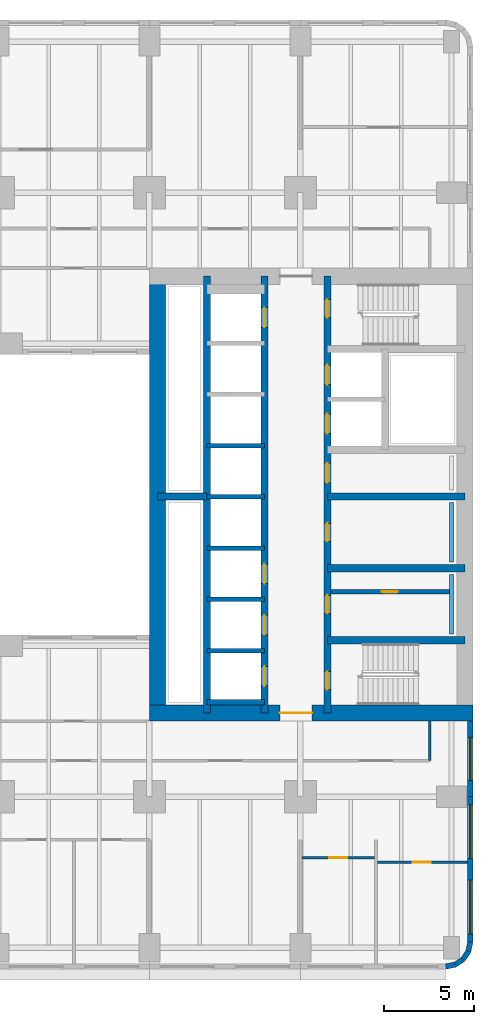
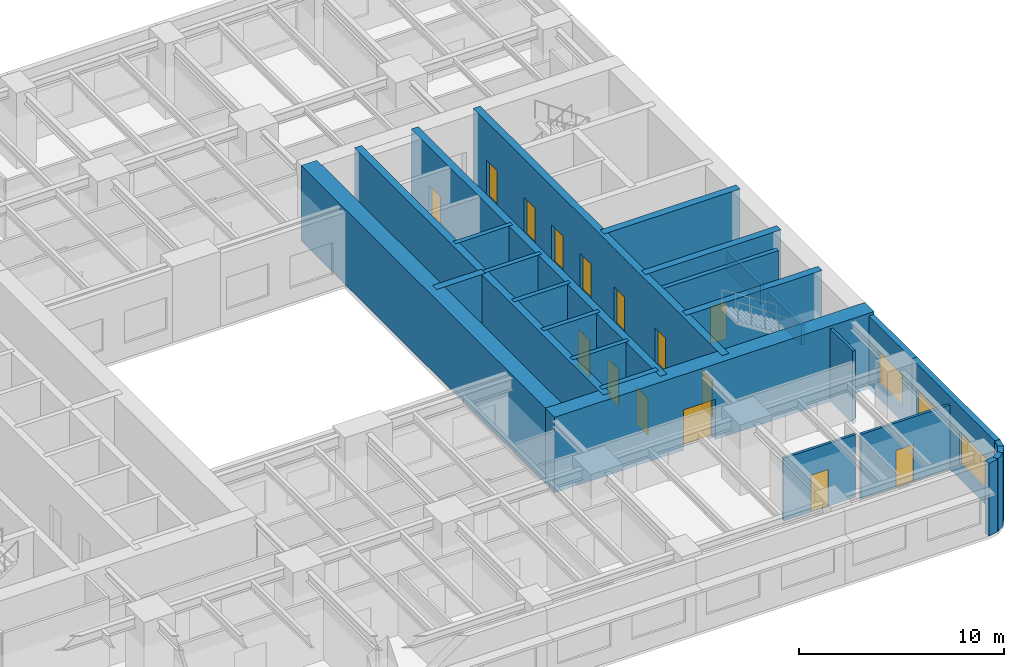
# One storey, part 5 of 14: 27 walls, 15 doors, 3 windows, 18 openings.
"""IFC4 building model written with IfcOpenShell, lengths in metres."""

from ifc_helpers import new_model, si_unit, direction, frame, frame_2d, origin, place, context, subcontext, project, spatial, rectangle, extrude, material, layer, layer_set, type_object, element, fill, save


model = new_model("IFC4")

# Units and contexts
model_context = context("Model", 3, precision=1e-05, world=origin(), true_north=direction((0.0, 1.0)))
body_context = subcontext(model_context, "Body", "Model", "MODEL_VIEW")
ifc_project = project(units=[si_unit("LENGTHUNIT", "METRE"), si_unit("AREAUNIT", "SQUARE_METRE"), si_unit("VOLUMEUNIT", "CUBIC_METRE"), si_unit("PLANEANGLEUNIT", "RADIAN"), si_unit("MASSUNIT", "GRAM", prefix="KILO")], contexts=[model_context])

# Site, building, storey
site_placement = place(None, origin())
site = spatial("IfcSite", under=ifc_project, at=site_placement, CompositionType="ELEMENT")
building_placement = place(site_placement, origin())
building = spatial("IfcBuilding", under=site, at=building_placement, Name="Claustro Exchange Tower", CompositionType="ELEMENT")
storey_placement = place(building_placement, frame((0.0, 0.0, 59.39990234375)))
storey = spatial("IfcBuildingStorey", under=building, at=storey_placement, Name="L13", CompositionType="ELEMENT", Elevation=59.39990234375)

# Wall, opening, door
ifc_material_1 = material(Name="Gypsum board on steel studs", Category="steel")
ifc_layer_1 = layer(ifc_material_1, 0.14990234375)
ifc_layer_set_1 = layer_set([ifc_layer_1], Name="Gypsum board on steel studs")
wall_type_1 = type_object("IfcWallType", Name="P1 150 plasterboard partition", PredefinedType="PARTITIONING", material=ifc_layer_set_1)
wall_1_placement = place(storey_placement, frame((42.073974609375, 5.0, 0.0), z_axis=(0.0, 0.0, 1.0), x_axis=(1.0, 0.0, 0.0)))
wall_1 = element("IfcWall", 1, at=wall_1_placement, inside=storey, type_object=wall_type_1, Name="Partition P1 L13", PredefinedType="PARTITIONING", context=body_context, shape_type="SweptSolid", body=[
    extrude(rectangle(XDim=4.052001953125, YDim=0.14990234375, at=frame_2d((2.02587890625, 0.0))), origin(), (0.0, 0.0, 1.0), 3.739990234375),
])
opening_1_placement = place(wall_1_placement, frame((1.52587890625, 0.0, 0.0)))
opening_1 = element("IfcOpeningElement", 2, at=opening_1_placement, cuts=wall_1, Name="Opening D1", PredefinedType="OPENING", context=body_context, shape_type="SweptSolid", body=[
    extrude(rectangle(XDim=1.0, YDim=2.199951171875, at=frame_2d((0.5, 1.10009765625))), frame((0.0, 0.0849609375, 0.0), z_axis=(0.0, -1.0, 0.0), x_axis=(1.0, 0.0, 0.0)), (0.0, 0.0, 1.0), 0.169921875),
])
ifc_material_2 = material(Name="Timber door, oak veneer", Category="wood")
door_type_1 = type_object("IfcDoorType", Name="D1 1000 x 2200 single door", OperationType="SINGLE_SWING_LEFT", PredefinedType="DOOR", material=ifc_material_2)
door_1_placement = place(opening_1_placement, frame((1.0, 0.0, 0.0), z_axis=(0.0, 0.0, 1.0), x_axis=(-1.0, 0.0, 0.0)))
door_1 = element("IfcDoor", 3, at=door_1_placement, inside=storey, type_object=door_type_1, Name="Door D1 L13", OperationType="SINGLE_SWING_RIGHT", OverallHeight=2.199951171875, OverallWidth=1.0, PredefinedType="DOOR", context=body_context, shape_type="SweptSolid", body=[
    extrude(rectangle(XDim=1.0, YDim=2.199951171875, at=frame_2d((0.5, 1.10009765625))), frame((0.0, 0.02490234375, 0.0), z_axis=(0.0, -1.0, 0.0), x_axis=(1.0, 0.0, 0.0)), (0.0, 0.0, 1.0), 0.050048828125),
])
fill(opening_1, door_1)

wall_2_placement = place(storey_placement, frame((46.27392578125, 4.75, 0.0), z_axis=(0.0, 0.0, 1.0), x_axis=(1.0, 0.0, 0.0)))
wall_2 = element("IfcWall", 4, at=wall_2_placement, inside=storey, type_object=wall_type_1, Name="Partition P1 L13", PredefinedType="PARTITIONING", context=body_context, shape_type="SweptSolid", body=[
    extrude(rectangle(XDim=5.028076171875, YDim=0.14990234375, at=frame_2d((2.51416015625, 0.0))), origin(), (0.0, 0.0, 1.0), 3.840087890625),
])
opening_2_placement = place(wall_2_placement, frame((1.97607421875, 0.0, 0.0)))
opening_2 = element("IfcOpeningElement", 5, at=opening_2_placement, cuts=wall_2, Name="Opening D1", PredefinedType="OPENING", context=body_context, shape_type="SweptSolid", body=[
    extrude(rectangle(XDim=1.0, YDim=2.199951171875, at=frame_2d((0.5, 1.10009765625))), frame((0.0, 0.0849609375, 0.0), z_axis=(0.0, -1.0, 0.0), x_axis=(1.0, 0.0, 0.0)), (0.0, 0.0, 1.0), 0.169921875),
])
door_2_placement = place(opening_2_placement, frame((1.0, 0.0, 0.0), z_axis=(0.0, 0.0, 1.0), x_axis=(-1.0, 0.0, 0.0)))
door_2 = element("IfcDoor", 6, at=door_2_placement, inside=storey, type_object=door_type_1, Name="Door D1 L13", OperationType="SINGLE_SWING_RIGHT", OverallHeight=2.199951171875, OverallWidth=1.0, PredefinedType="DOOR", context=body_context, shape_type="SweptSolid", body=[
    extrude(rectangle(XDim=1.0, YDim=2.199951171875, at=frame_2d((0.5, 1.10009765625))), frame((0.0, 0.02490234375, 0.0), z_axis=(0.0, -1.0, 0.0), x_axis=(1.0, 0.0, 0.0)), (0.0, 0.0, 1.0), 0.050048828125),
])
fill(opening_2, door_2)

# Wall
wall_3_placement = place(storey_placement, frame((49.199951171875, 10.39990234375, 0.0), z_axis=(0.0, 0.0, 1.0), x_axis=(0.0, 1.0, 0.0)))
element("IfcWall", 7, at=wall_3_placement, inside=storey, type_object=wall_type_1, Name="Partition P1 L13", PredefinedType="PARTITIONING", context=body_context, shape_type="SweptSolid", body=[
    extrude(rectangle(XDim=2.2021484375, YDim=0.14990234375, at=frame_2d((1.10107421875, 0.0))), origin(), (0.0, 0.0, 1.0), 4.340087890625),
])

# Wall, opening, door
ifc_material_3 = material(Name="Concrete blockwork, rendered", Category="masonry")
ifc_layer_2 = layer(ifc_material_3, 0.25)
ifc_layer_set_2 = layer_set([ifc_layer_2], Name="Concrete blockwork, rendered")
wall_type_2 = type_object("IfcWallType", Name="P4 250 blockwork wall", PredefinedType="PARTITIONING", material=ifc_layer_set_2)
wall_4_placement = place(storey_placement, frame((43.699951171875, 19.800048828125, 0.0), z_axis=(0.0, 0.0, 1.0), x_axis=(1.0, 0.0, 0.0)))
wall_4 = element("IfcWall", 8, at=wall_4_placement, inside=storey, type_object=wall_type_2, Name="Partition P4 L13", PredefinedType="PARTITIONING", context=body_context, shape_type="SweptSolid", body=[
    extrude(rectangle(XDim=6.60009765625, YDim=0.25, at=frame_2d((3.300048828125, 0.0))), origin(), (0.0, 0.0, 1.0), 4.300048828125),
])
opening_3_placement = place(wall_4_placement, frame((2.824951171875, 0.0, 0.0)))
opening_3 = element("IfcOpeningElement", 9, at=opening_3_placement, cuts=wall_4, Name="Opening D5", PredefinedType="OPENING", context=body_context, shape_type="SweptSolid", body=[
    extrude(rectangle(XDim=0.89990234375, YDim=2.199951171875, at=frame_2d((0.449951171875, 1.10009765625))), frame((0.0, 0.135009765625, 0.0), z_axis=(0.0, -1.0, 0.0), x_axis=(1.0, 0.0, 0.0)), (0.0, 0.0, 1.0), 0.27001953125),
])
ifc_material_4 = material(Name="Steel door, painted", Category="steel")
door_type_2 = type_object("IfcDoorType", Name="D5 900 x 2200 store door", OperationType="SINGLE_SWING_LEFT", PredefinedType="DOOR", material=ifc_material_4)
door_3_placement = place(opening_3_placement, origin())
door_3 = element("IfcDoor", 10, at=door_3_placement, inside=storey, type_object=door_type_2, Name="Store door D5 L13", OperationType="SINGLE_SWING_RIGHT", OverallHeight=2.199951171875, OverallWidth=0.89990234375, PredefinedType="DOOR", context=body_context, shape_type="SweptSolid", body=[
    extrude(rectangle(XDim=0.89990234375, YDim=2.199951171875, at=frame_2d((0.449951171875, 1.10009765625))), frame((0.0, 0.02490234375, 0.0), z_axis=(0.0, -1.0, 0.0), x_axis=(1.0, 0.0, 0.0)), (0.0, 0.0, 1.0), 0.050048828125),
])
fill(opening_3, door_3)

# Wall, opening, window
ifc_material_5 = material(Name="Concrete HA-40 (C40/50), precast, white cement, acid-etched", Category="concrete")
ifc_layer_3 = layer(ifc_material_5, 0.300048828125)
ifc_layer_set_3 = layer_set([ifc_layer_3], Name="Concrete HA-40 (C40/50), precast, white cement, acid-etched")
wall_type_3 = type_object("IfcWallType", Name="PC1 300 precast concrete pier panel", PredefinedType="SOLIDWALL", material=ifc_layer_set_3)
wall_5_placement = place(storey_placement, frame((51.449951171875, 12.60009765625, 0.0), z_axis=(0.0, 0.0, 1.0), x_axis=(0.0, -1.0, 0.0)))
wall_5 = element("IfcWall", 11, at=wall_5_placement, inside=storey, type_object=wall_type_3, Name="Precast pier panel PC1 L13", PredefinedType="SOLIDWALL", context=body_context, shape_type="SweptSolid", body=[
    extrude(rectangle(XDim=4.2001953125, YDim=0.300048828125, at=frame_2d((2.10009765625, 0.0))), origin(), (0.0, 0.0, 1.0), 4.340087890625),
])
opening_4_placement = place(wall_5_placement, frame((0.89990234375, 0.0, 0.89990234375)))
opening_4 = element("IfcOpeningElement", 12, at=opening_4_placement, cuts=wall_5, Name="Opening W2", PredefinedType="OPENING", context=body_context, shape_type="SweptSolid", body=[
    extrude(rectangle(XDim=2.39990234375, YDim=1.89990234375, at=frame_2d((1.199951171875, 0.949951171875))), frame((0.0, 0.159912109375, 0.0), z_axis=(0.0, -1.0, 0.0), x_axis=(1.0, 0.0, 0.0)), (0.0, 0.0, 1.0), 0.320068359375),
])
ifc_material_6 = material(Name="Aluminium frame, clear double glazing", Category="aluminium")
window_type_1 = type_object("IfcWindowType", Name="W2 2400 x 1900 window", PartitioningType="SINGLE_PANEL", PredefinedType="WINDOW", material=ifc_material_6)
window_1_placement = place(opening_4_placement, origin())
window_1 = element("IfcWindow", 13, at=window_1_placement, inside=storey, type_object=window_type_1, Name="Window W2 L13", OverallHeight=1.89990234375, OverallWidth=2.39990234375, PartitioningType="SINGLE_PANEL", PredefinedType="WINDOW", context=body_context, shape_type="SweptSolid", body=[
    extrude(rectangle(XDim=2.39990234375, YDim=1.89990234375, at=frame_2d((1.199951171875, 0.949951171875))), frame((0.0, 0.030029296875, 0.0), z_axis=(0.0, -1.0, 0.0), x_axis=(1.0, 0.0, 0.0)), (0.0, 0.0, 1.0), 0.06005859375),
])
fill(opening_4, window_1)

# Wall, openings, windows
wall_6_placement = place(storey_placement, frame((51.449951171875, 8.39990234375, 0.0), z_axis=(0.0, 0.0, 1.0), x_axis=(0.0, -1.0, 0.0)))
wall_6 = element("IfcWall", 14, at=wall_6_placement, inside=storey, type_object=wall_type_3, Name="Precast pier panel PC1 L13", PredefinedType="SOLIDWALL", context=body_context, shape_type="SweptSolid", body=[
    extrude(rectangle(XDim=8.085205078125, YDim=0.300048828125, at=frame_2d((4.04248046875, 0.0))), origin(), (0.0, 0.0, 1.0), 4.340087890625),
])
opening_5_placement = place(wall_6_placement, frame((0.442626953125, 0.0, 0.89990234375)))
opening_5 = element("IfcOpeningElement", 15, at=opening_5_placement, cuts=wall_6, Name="Opening W1", PredefinedType="OPENING", context=body_context, shape_type="SweptSolid", body=[
    extrude(rectangle(XDim=3.0, YDim=1.89990234375, at=frame_2d((1.5, 0.949951171875))), frame((0.0, 0.159912109375, 0.0), z_axis=(0.0, -1.0, 0.0), x_axis=(1.0, 0.0, 0.0)), (0.0, 0.0, 1.0), 0.320068359375),
])
opening_6_placement = place(wall_6_placement, frame((4.642578125, 0.0, 0.89990234375)))
opening_6 = element("IfcOpeningElement", 16, at=opening_6_placement, cuts=wall_6, Name="Opening W1", PredefinedType="OPENING", context=body_context, shape_type="SweptSolid", body=[
    extrude(rectangle(XDim=3.0, YDim=1.89990234375, at=frame_2d((1.5, 0.949951171875))), frame((0.0, 0.159912109375, 0.0), z_axis=(0.0, -1.0, 0.0), x_axis=(1.0, 0.0, 0.0)), (0.0, 0.0, 1.0), 0.320068359375),
])
ifc_material_7 = material(Name="Aluminium frame, clear double glazing", Category="aluminium")
window_type_2 = type_object("IfcWindowType", Name="W1 3000 x 1900 window", PartitioningType="SINGLE_PANEL", PredefinedType="WINDOW", material=ifc_material_7)
window_2_placement = place(opening_5_placement, origin())
window_2 = element("IfcWindow", 17, at=window_2_placement, inside=storey, type_object=window_type_2, Name="Window W1 L13", OverallHeight=1.89990234375, OverallWidth=3.0, PartitioningType="SINGLE_PANEL", PredefinedType="WINDOW", context=body_context, shape_type="SweptSolid", body=[
    extrude(rectangle(XDim=3.0, YDim=1.89990234375, at=frame_2d((1.5, 0.949951171875))), frame((0.0, 0.030029296875, 0.0), z_axis=(0.0, -1.0, 0.0), x_axis=(1.0, 0.0, 0.0)), (0.0, 0.0, 1.0), 0.06005859375),
])
fill(opening_5, window_2)
window_3_placement = place(opening_6_placement, origin())
window_3 = element("IfcWindow", 18, at=window_3_placement, inside=storey, type_object=window_type_2, Name="Window W1 L13", OverallHeight=1.89990234375, OverallWidth=3.0, PartitioningType="SINGLE_PANEL", PredefinedType="WINDOW", context=body_context, shape_type="SweptSolid", body=[
    extrude(rectangle(XDim=3.0, YDim=1.89990234375, at=frame_2d((1.5, 0.949951171875))), frame((0.0, 0.030029296875, 0.0), z_axis=(0.0, -1.0, 0.0), x_axis=(1.0, 0.0, 0.0)), (0.0, 0.0, 1.0), 0.06005859375),
])
fill(opening_6, window_3)

# Walls
wall_7_placement = place(storey_placement, frame((51.449951171875, 0.314697265625, 0.0), z_axis=(0.0, 0.0, 1.0), x_axis=(-0.195073962632, -0.980788534345, 0.0)))
element("IfcWall", 19, at=wall_7_placement, inside=storey, type_object=wall_type_3, Name="Precast pier panel PC1 L13", PredefinedType="SOLIDWALL", context=body_context, shape_type="SweptSolid", body=[
    extrude(rectangle(XDim=0.540771484375, YDim=0.300048828125, at=frame_2d((0.2705078125, 0.0))), origin(), (0.0, 0.0, 1.0), 4.340087890625),
])
for number, where, z_axis, x_axis, name in (
    (20, (51.344482421875, -0.215576171875, 0.0), (0.0, 0.0, 1.0), (-0.555557463938, -0.831478144188, 0.0), "Precast pier panel PC1 L13"),
    (21, (51.052490234375, -0.652587890625, 0.0), (0.0, 0.0, 1.0), (-0.831478144188, -0.555557463938, 0.0), "Precast pier panel PC1 L13"),
):
    element("IfcWall", number, at=place(storey_placement, frame(where, z_axis=z_axis, x_axis=x_axis)), inside=storey, type_object=wall_type_3, Name=name, PredefinedType="SOLIDWALL", context=body_context, shape_type="SweptSolid", body=[
        extrude(rectangle(XDim=0.525634765625, YDim=0.300048828125, at=frame_2d((0.2626953125, 0.0))), origin(), (0.0, 0.0, 1.0), 4.340087890625),
    ])
wall_8_placement = place(storey_placement, frame((50.615478515625, -0.944580078125, 0.0), z_axis=(0.0, 0.0, 1.0), x_axis=(-0.980788534345, -0.195073962632, 0.0)))
element("IfcWall", 22, at=wall_8_placement, inside=storey, type_object=wall_type_3, Name="Precast pier panel PC1 L13", PredefinedType="SOLIDWALL", context=body_context, shape_type="SweptSolid", body=[
    extrude(rectangle(XDim=0.540771484375, YDim=0.300048828125, at=frame_2d((0.2705078125, 0.0))), origin(), (0.0, 0.0, 1.0), 4.340087890625),
])
ifc_material_8 = material(Name="Gypsum board on steel studs, tiled", Category="steel")
ifc_layer_4 = layer(ifc_material_8, 0.199951171875)
ifc_layer_set_4 = layer_set([ifc_layer_4], Name="Gypsum board on steel studs, tiled")
wall_type_4 = type_object("IfcWallType", Name="PW1 200 WC duct wall", PredefinedType="PLUMBINGWALL", material=ifc_layer_set_4)
for number, where, z_axis, x_axis, name in (
    (23, (50.39990234375, 17.449951171875, 0.0), (0.0, 0.0, 1.0), (0.0, 1.0, 0.0), "WC duct wall PW1 L13"),
    (24, (50.39990234375, 21.449951171875, 0.0), (0.0, 0.0, 1.0), (0.0, 1.0, 0.0), "WC duct wall PW1 L13"),
):
    element("IfcWall", number, at=place(storey_placement, frame(where, z_axis=z_axis, x_axis=x_axis)), inside=storey, type_object=wall_type_4, Name=name, PredefinedType="PLUMBINGWALL", context=body_context, shape_type="SweptSolid", body=[
        extrude(rectangle(XDim=3.300048828125, YDim=0.199951171875, at=frame_2d((1.64990234375, 0.0))), origin(), (0.0, 0.0, 1.0), 1.2001953125),
    ])

# Wall, opening, door
ifc_material_9 = material(Name="Concrete HA-70 (C70/85)", Category="concrete")
ifc_layer_5 = layer(ifc_material_9, 0.89990234375)
ifc_layer_set_5 = layer_set([ifc_layer_5], Name="Concrete HA-70 (C70/85)")
wall_type_5 = type_object("IfcWallType", Name="SW1 900 core shear wall", PredefinedType="SHEAR", material=ifc_layer_set_5)
wall_9_placement = place(storey_placement, frame((33.60009765625, 13.050048828125, 0.0), z_axis=(0.0, 0.0, 1.0), x_axis=(1.0, 0.0, 0.0)))
wall_9 = element("IfcWall", 25, at=wall_9_placement, inside=storey, type_object=wall_type_5, Name="Core wall SW1 E core S face L13", PredefinedType="SHEAR", context=body_context, shape_type="SweptSolid", body=[
    extrude(rectangle(XDim=18.0, YDim=0.89990234375, at=frame_2d((9.0, 0.0))), origin(), (0.0, 0.0, 1.0), 4.5),
])
opening_7_placement = place(wall_9_placement, frame((7.25, 0.0, 0.0)))
opening_7 = element("IfcOpeningElement", 26, at=opening_7_placement, cuts=wall_9, Name="Opening D3", PredefinedType="OPENING", context=body_context, shape_type="SweptSolid", body=[
    extrude(rectangle(XDim=1.800048828125, YDim=2.39990234375, at=frame_2d((0.89990234375, 1.199951171875))), frame((0.0, 0.4599609375, 0.0), z_axis=(0.0, -1.0, 0.0), x_axis=(1.0, 0.0, 0.0)), (0.0, 0.0, 1.0), 0.919921875),
])
ifc_material_10 = material(Name="Steel fire door, painted", Category="steel")
door_type_3 = type_object("IfcDoorType", Name="D3 1800 x 2400 fire-rated lobby double door", OperationType="DOUBLE_DOOR_SINGLE_SWING", PredefinedType="DOOR", material=ifc_material_10)
door_4_placement = place(opening_7_placement, origin())
door_4 = element("IfcDoor", 27, at=door_4_placement, inside=storey, type_object=door_type_3, Name="Lift lobby door D3 L13", OperationType="DOUBLE_DOOR_SINGLE_SWING", OverallHeight=2.39990234375, OverallWidth=1.800048828125, PredefinedType="DOOR", context=body_context, shape_type="SweptSolid", body=[
    extrude(rectangle(XDim=1.800048828125, YDim=2.39990234375, at=frame_2d((0.89990234375, 1.199951171875))), frame((0.0, 0.02490234375, 0.0), z_axis=(0.0, -1.0, 0.0), x_axis=(1.0, 0.0, 0.0)), (0.0, 0.0, 1.0), 0.050048828125),
])
fill(opening_7, door_4)

# Wall
ifc_material_11 = material(Name="Concrete HA-70 (C70/85)", Category="concrete")
ifc_layer_6 = layer(ifc_material_11, 0.89990234375)
ifc_layer_set_6 = layer_set([ifc_layer_6], Name="Concrete HA-70 (C70/85)")
wall_type_6 = type_object("IfcWallType", Name="SW1X 900 exposed core shear wall, board-marked face", PredefinedType="SHEAR", material=ifc_layer_set_6)
wall_10_placement = place(storey_placement, frame((34.050048828125, 13.050048828125, 0.0), z_axis=(0.0, 0.0, 1.0), x_axis=(0.0, 1.0, 0.0)))
element("IfcWall", 28, at=wall_10_placement, inside=storey, type_object=wall_type_6, Name="Core wall SW1X E core W face L13", PredefinedType="SHEAR", context=body_context, shape_type="SweptSolid", body=[
    extrude(rectangle(XDim=24.300048828125, YDim=0.89990234375, at=frame_2d((12.14990234375, 0.0))), origin(), (0.0, 0.0, 1.0), 4.5),
])

# Wall, openings, doors
ifc_material_12 = material(Name="Concrete HA-50 (C50/60)", Category="concrete")
ifc_layer_7 = layer(ifc_material_12, 0.39990234375)
ifc_layer_set_7 = layer_set([ifc_layer_7], Name="Concrete HA-50 (C50/60)")
wall_type_7 = type_object("IfcWallType", Name="SW4 400 internal core wall", PredefinedType="SHEAR", material=ifc_layer_set_7)
wall_11_placement = place(storey_placement, frame((43.5, 13.050048828125, 0.0), z_axis=(0.0, 0.0, 1.0), x_axis=(0.0, 1.0, 0.0)))
wall_11 = element("IfcWall", 29, at=wall_11_placement, inside=storey, type_object=wall_type_7, Name="Internal core wall SW4 E core L13", PredefinedType="SHEAR", context=body_context, shape_type="SweptSolid", body=[
    extrude(rectangle(XDim=24.300048828125, YDim=0.39990234375, at=frame_2d((12.14990234375, 0.0))), origin(), (0.0, 0.0, 1.0), 4.5),
])
opening_8_placement = place(wall_11_placement, frame((1.300048828125, 0.0, 0.0)))
opening_8 = element("IfcOpeningElement", 30, at=opening_8_placement, cuts=wall_11, Name="Opening D4", PredefinedType="OPENING", context=body_context, shape_type="SweptSolid", body=[
    extrude(rectangle(XDim=1.0, YDim=2.199951171875, at=frame_2d((0.5, 1.10009765625))), frame((0.0, 0.2099609375, 0.0), z_axis=(0.0, -1.0, 0.0), x_axis=(1.0, 0.0, 0.0)), (0.0, 0.0, 1.0), 0.419921875),
])
opening_9_placement = place(wall_11_placement, frame((22.0, 0.0, 0.0)))
opening_9 = element("IfcOpeningElement", 31, at=opening_9_placement, cuts=wall_11, Name="Opening D4", PredefinedType="OPENING", context=body_context, shape_type="SweptSolid", body=[
    extrude(rectangle(XDim=1.0, YDim=2.199951171875, at=frame_2d((0.5, 1.10009765625))), frame((0.0, 0.2099609375, 0.0), z_axis=(0.0, -1.0, 0.0), x_axis=(1.0, 0.0, 0.0)), (0.0, 0.0, 1.0), 0.419921875),
])
opening_10_placement = place(wall_11_placement, frame((5.550048828125, 0.0, 0.0)))
opening_10 = element("IfcOpeningElement", 32, at=opening_10_placement, cuts=wall_11, Name="Opening D1", PredefinedType="OPENING", context=body_context, shape_type="SweptSolid", body=[
    extrude(rectangle(XDim=1.0, YDim=2.199951171875, at=frame_2d((0.5, 1.10009765625))), frame((0.0, 0.2099609375, 0.0), z_axis=(0.0, -1.0, 0.0), x_axis=(1.0, 0.0, 0.0)), (0.0, 0.0, 1.0), 0.419921875),
])
opening_11_placement = place(wall_11_placement, frame((9.550048828125, 0.0, 0.0)))
opening_11 = element("IfcOpeningElement", 33, at=opening_11_placement, cuts=wall_11, Name="Opening D1", PredefinedType="OPENING", context=body_context, shape_type="SweptSolid", body=[
    extrude(rectangle(XDim=1.0, YDim=2.199951171875, at=frame_2d((0.5, 1.10009765625))), frame((0.0, 0.2099609375, 0.0), z_axis=(0.0, -1.0, 0.0), x_axis=(1.0, 0.0, 0.0)), (0.0, 0.0, 1.0), 0.419921875),
])
opening_12_placement = place(wall_11_placement, frame((12.800048828125, 0.0, 0.0)))
opening_12 = element("IfcOpeningElement", 34, at=opening_12_placement, cuts=wall_11, Name="Opening D10", PredefinedType="OPENING", context=body_context, shape_type="SweptSolid", body=[
    extrude(rectangle(XDim=1.10009765625, YDim=2.199951171875, at=frame_2d((0.550048828125, 1.10009765625))), frame((0.0, 0.2099609375, 0.0), z_axis=(0.0, -1.0, 0.0), x_axis=(1.0, 0.0, 0.0)), (0.0, 0.0, 1.0), 0.419921875),
])
opening_13_placement = place(wall_11_placement, frame((15.53759765625, 0.0, 0.0)))
opening_13 = element("IfcOpeningElement", 35, at=opening_13_placement, cuts=wall_11, Name="Opening LD", PredefinedType="OPENING", context=body_context, shape_type="SweptSolid", body=[
    extrude(rectangle(XDim=1.10009765625, YDim=2.199951171875, at=frame_2d((0.550048828125, 1.10009765625))), frame((0.0, 0.2099609375, 0.0), z_axis=(0.0, -1.0, 0.0), x_axis=(1.0, 0.0, 0.0)), (0.0, 0.0, 1.0), 0.419921875),
])
opening_14_placement = place(wall_11_placement, frame((18.262451171875, 0.0, 0.0)))
opening_14 = element("IfcOpeningElement", 36, at=opening_14_placement, cuts=wall_11, Name="Opening LD", PredefinedType="OPENING", context=body_context, shape_type="SweptSolid", body=[
    extrude(rectangle(XDim=1.10009765625, YDim=2.199951171875, at=frame_2d((0.550048828125, 1.10009765625))), frame((0.0, 0.2099609375, 0.0), z_axis=(0.0, -1.0, 0.0), x_axis=(1.0, 0.0, 0.0)), (0.0, 0.0, 1.0), 0.419921875),
])
door_5_placement = place(opening_10_placement, frame((1.0, 0.0, 0.0), z_axis=(0.0, 0.0, 1.0), x_axis=(-1.0, 0.0, 0.0)))
door_5 = element("IfcDoor", 37, at=door_5_placement, inside=storey, type_object=door_type_1, Name="Door D1 L13", OperationType="SINGLE_SWING_LEFT", OverallHeight=2.199951171875, OverallWidth=1.0, PredefinedType="DOOR", context=body_context, shape_type="SweptSolid", body=[
    extrude(rectangle(XDim=1.0, YDim=2.199951171875, at=frame_2d((0.5, 1.10009765625))), frame((0.0, 0.02490234375, 0.0), z_axis=(0.0, -1.0, 0.0), x_axis=(1.0, 0.0, 0.0)), (0.0, 0.0, 1.0), 0.050048828125),
])
fill(opening_10, door_5)
door_6_placement = place(opening_11_placement, frame((1.0, 0.0, 0.0), z_axis=(0.0, 0.0, 1.0), x_axis=(-1.0, 0.0, 0.0)))
door_6 = element("IfcDoor", 38, at=door_6_placement, inside=storey, type_object=door_type_1, Name="Door D1 L13", OperationType="SINGLE_SWING_LEFT", OverallHeight=2.199951171875, OverallWidth=1.0, PredefinedType="DOOR", context=body_context, shape_type="SweptSolid", body=[
    extrude(rectangle(XDim=1.0, YDim=2.199951171875, at=frame_2d((0.5, 1.10009765625))), frame((0.0, 0.02490234375, 0.0), z_axis=(0.0, -1.0, 0.0), x_axis=(1.0, 0.0, 0.0)), (0.0, 0.0, 1.0), 0.050048828125),
])
fill(opening_11, door_6)
ifc_material_13 = material(Name="Timber door, oak veneer", Category="wood")
door_type_4 = type_object("IfcDoorType", Name="D10 1100 x 2200 accessible WC door", OperationType="SINGLE_SWING_LEFT", PredefinedType="DOOR", material=ifc_material_13)
door_7_placement = place(opening_12_placement, origin())
door_7 = element("IfcDoor", 39, at=door_7_placement, inside=storey, type_object=door_type_4, Name="Accessible WC door D10 L13", OperationType="SINGLE_SWING_RIGHT", OverallHeight=2.199951171875, OverallWidth=1.10009765625, PredefinedType="DOOR", context=body_context, shape_type="SweptSolid", body=[
    extrude(rectangle(XDim=1.10009765625, YDim=2.199951171875, at=frame_2d((0.550048828125, 1.10009765625))), frame((0.0, 0.02490234375, 0.0), z_axis=(0.0, -1.0, 0.0), x_axis=(1.0, 0.0, 0.0)), (0.0, 0.0, 1.0), 0.050048828125),
])
fill(opening_12, door_7)
ifc_material_14 = material(Name="Steel fire door, painted", Category="steel")
door_type_5 = type_object("IfcDoorType", Name="D4 1000 x 2200 fire-rated stair door", OperationType="SINGLE_SWING_LEFT", PredefinedType="DOOR", material=ifc_material_14)
door_8_placement = place(opening_8_placement, frame((1.0, 0.0, 0.0), z_axis=(0.0, 0.0, 1.0), x_axis=(-1.0, 0.0, 0.0)))
door_8 = element("IfcDoor", 40, at=door_8_placement, inside=storey, type_object=door_type_5, Name="Stair door D4 L13", OperationType="SINGLE_SWING_RIGHT", OverallHeight=2.199951171875, OverallWidth=1.0, PredefinedType="DOOR", context=body_context, shape_type="SweptSolid", body=[
    extrude(rectangle(XDim=1.0, YDim=2.199951171875, at=frame_2d((0.5, 1.10009765625))), frame((0.0, 0.02490234375, 0.0), z_axis=(0.0, -1.0, 0.0), x_axis=(1.0, 0.0, 0.0)), (0.0, 0.0, 1.0), 0.050048828125),
])
fill(opening_8, door_8)
door_9_placement = place(opening_9_placement, frame((1.0, 0.0, 0.0), z_axis=(0.0, 0.0, 1.0), x_axis=(-1.0, 0.0, 0.0)))
door_9 = element("IfcDoor", 41, at=door_9_placement, inside=storey, type_object=door_type_5, Name="Stair door D4 L13", OperationType="SINGLE_SWING_LEFT", OverallHeight=2.199951171875, OverallWidth=1.0, PredefinedType="DOOR", context=body_context, shape_type="SweptSolid", body=[
    extrude(rectangle(XDim=1.0, YDim=2.199951171875, at=frame_2d((0.5, 1.10009765625))), frame((0.0, 0.02490234375, 0.0), z_axis=(0.0, -1.0, 0.0), x_axis=(1.0, 0.0, 0.0)), (0.0, 0.0, 1.0), 0.050048828125),
])
fill(opening_9, door_9)
ifc_material_15 = material(Name="Stainless steel sliding door", Category="steel")
door_type_6 = type_object("IfcDoorType", Name="LD 1100 x 2200 lift landing door", OperationType="DOUBLE_DOOR_SLIDING", PredefinedType="DOOR", material=ifc_material_15)
door_10_placement = place(opening_13_placement, origin())
door_10 = element("IfcDoor", 42, at=door_10_placement, inside=storey, type_object=door_type_6, Name="Lift landing door LEE1 LD L13", OperationType="DOUBLE_DOOR_SLIDING", OverallHeight=2.199951171875, OverallWidth=1.10009765625, PredefinedType="DOOR", context=body_context, shape_type="SweptSolid", body=[
    extrude(rectangle(XDim=1.10009765625, YDim=2.199951171875, at=frame_2d((0.550048828125, 1.10009765625))), frame((0.0, 0.02490234375, 0.0), z_axis=(0.0, -1.0, 0.0), x_axis=(1.0, 0.0, 0.0)), (0.0, 0.0, 1.0), 0.050048828125),
])
fill(opening_13, door_10)
door_11_placement = place(opening_14_placement, origin())
door_11 = element("IfcDoor", 43, at=door_11_placement, inside=storey, type_object=door_type_6, Name="Lift landing door LEE2 LD L13", OperationType="DOUBLE_DOOR_SLIDING", OverallHeight=2.199951171875, OverallWidth=1.10009765625, PredefinedType="DOOR", context=body_context, shape_type="SweptSolid", body=[
    extrude(rectangle(XDim=1.10009765625, YDim=2.199951171875, at=frame_2d((0.550048828125, 1.10009765625))), frame((0.0, 0.02490234375, 0.0), z_axis=(0.0, -1.0, 0.0), x_axis=(1.0, 0.0, 0.0)), (0.0, 0.0, 1.0), 0.050048828125),
])
fill(opening_14, door_11)

wall_12_placement = place(storey_placement, frame((40.0, 13.050048828125, 0.0), z_axis=(0.0, 0.0, 1.0), x_axis=(0.0, 1.0, 0.0)))
wall_12 = element("IfcWall", 44, at=wall_12_placement, inside=storey, type_object=wall_type_7, Name="Internal core wall SW4 E core L13", PredefinedType="SHEAR", context=body_context, shape_type="SweptSolid", body=[
    extrude(rectangle(XDim=24.300048828125, YDim=0.39990234375, at=frame_2d((12.14990234375, 0.0))), origin(), (0.0, 0.0, 1.0), 4.5),
])
opening_15_placement = place(wall_12_placement, frame((1.5, 0.0, 0.0)))
opening_15 = element("IfcOpeningElement", 45, at=opening_15_placement, cuts=wall_12, Name="Opening LD", PredefinedType="OPENING", context=body_context, shape_type="SweptSolid", body=[
    extrude(rectangle(XDim=1.10009765625, YDim=2.199951171875, at=frame_2d((0.550048828125, 1.10009765625))), frame((0.0, 0.2099609375, 0.0), z_axis=(0.0, -1.0, 0.0), x_axis=(1.0, 0.0, 0.0)), (0.0, 0.0, 1.0), 0.419921875),
])
opening_16_placement = place(wall_12_placement, frame((4.35009765625, 0.0, 0.0)))
opening_16 = element("IfcOpeningElement", 46, at=opening_16_placement, cuts=wall_12, Name="Opening LD", PredefinedType="OPENING", context=body_context, shape_type="SweptSolid", body=[
    extrude(rectangle(XDim=1.10009765625, YDim=2.199951171875, at=frame_2d((0.550048828125, 1.10009765625))), frame((0.0, 0.2099609375, 0.0), z_axis=(0.0, -1.0, 0.0), x_axis=(1.0, 0.0, 0.0)), (0.0, 0.0, 1.0), 0.419921875),
])
opening_17_placement = place(wall_12_placement, frame((7.199951171875, 0.0, 0.0)))
opening_17 = element("IfcOpeningElement", 47, at=opening_17_placement, cuts=wall_12, Name="Opening LD", PredefinedType="OPENING", context=body_context, shape_type="SweptSolid", body=[
    extrude(rectangle(XDim=1.10009765625, YDim=2.199951171875, at=frame_2d((0.550048828125, 1.10009765625))), frame((0.0, 0.2099609375, 0.0), z_axis=(0.0, -1.0, 0.0), x_axis=(1.0, 0.0, 0.0)), (0.0, 0.0, 1.0), 0.419921875),
])
opening_18_placement = place(wall_12_placement, frame((21.449951171875, 0.0, 0.0)))
opening_18 = element("IfcOpeningElement", 48, at=opening_18_placement, cuts=wall_12, Name="Opening LD", PredefinedType="OPENING", context=body_context, shape_type="SweptSolid", body=[
    extrude(rectangle(XDim=1.10009765625, YDim=2.199951171875, at=frame_2d((0.550048828125, 1.10009765625))), frame((0.0, 0.2099609375, 0.0), z_axis=(0.0, -1.0, 0.0), x_axis=(1.0, 0.0, 0.0)), (0.0, 0.0, 1.0), 0.419921875),
])
door_12_placement = place(opening_15_placement, origin())
door_12 = element("IfcDoor", 49, at=door_12_placement, inside=storey, type_object=door_type_6, Name="Lift landing door LLE1 LD L13", OperationType="DOUBLE_DOOR_SLIDING", OverallHeight=2.199951171875, OverallWidth=1.10009765625, PredefinedType="DOOR", context=body_context, shape_type="SweptSolid", body=[
    extrude(rectangle(XDim=1.10009765625, YDim=2.199951171875, at=frame_2d((0.550048828125, 1.10009765625))), frame((0.0, 0.02490234375, 0.0), z_axis=(0.0, -1.0, 0.0), x_axis=(1.0, 0.0, 0.0)), (0.0, 0.0, 1.0), 0.050048828125),
])
fill(opening_15, door_12)
door_13_placement = place(opening_16_placement, origin())
door_13 = element("IfcDoor", 50, at=door_13_placement, inside=storey, type_object=door_type_6, Name="Lift landing door LLE2 LD L13", OperationType="DOUBLE_DOOR_SLIDING", OverallHeight=2.199951171875, OverallWidth=1.10009765625, PredefinedType="DOOR", context=body_context, shape_type="SweptSolid", body=[
    extrude(rectangle(XDim=1.10009765625, YDim=2.199951171875, at=frame_2d((0.550048828125, 1.10009765625))), frame((0.0, 0.02490234375, 0.0), z_axis=(0.0, -1.0, 0.0), x_axis=(1.0, 0.0, 0.0)), (0.0, 0.0, 1.0), 0.050048828125),
])
fill(opening_16, door_13)
door_14_placement = place(opening_17_placement, origin())
door_14 = element("IfcDoor", 51, at=door_14_placement, inside=storey, type_object=door_type_6, Name="Lift landing door LLE3 LD L13", OperationType="DOUBLE_DOOR_SLIDING", OverallHeight=2.199951171875, OverallWidth=1.10009765625, PredefinedType="DOOR", context=body_context, shape_type="SweptSolid", body=[
    extrude(rectangle(XDim=1.10009765625, YDim=2.199951171875, at=frame_2d((0.550048828125, 1.10009765625))), frame((0.0, 0.02490234375, 0.0), z_axis=(0.0, -1.0, 0.0), x_axis=(1.0, 0.0, 0.0)), (0.0, 0.0, 1.0), 0.050048828125),
])
fill(opening_17, door_14)
door_15_placement = place(opening_18_placement, origin())
door_15 = element("IfcDoor", 52, at=door_15_placement, inside=storey, type_object=door_type_6, Name="Lift landing door LSE1 LD L13", OperationType="DOUBLE_DOOR_SLIDING", OverallHeight=2.199951171875, OverallWidth=1.10009765625, PredefinedType="DOOR", context=body_context, shape_type="SweptSolid", body=[
    extrude(rectangle(XDim=1.10009765625, YDim=2.199951171875, at=frame_2d((0.550048828125, 1.10009765625))), frame((0.0, 0.02490234375, 0.0), z_axis=(0.0, -1.0, 0.0), x_axis=(1.0, 0.0, 0.0)), (0.0, 0.0, 1.0), 0.050048828125),
])
fill(opening_18, door_15)

# Walls
wall_13_placement = place(storey_placement, frame((36.800048828125, 13.050048828125, 0.0), z_axis=(0.0, 0.0, 1.0), x_axis=(0.0, 1.0, 0.0)))
element("IfcWall", 53, at=wall_13_placement, inside=storey, type_object=wall_type_7, Name="Internal core wall SW4 E core L13", PredefinedType="SHEAR", context=body_context, shape_type="SweptSolid", body=[
    extrude(rectangle(XDim=24.300048828125, YDim=0.39990234375, at=frame_2d((12.14990234375, 0.0))), origin(), (0.0, 0.0, 1.0), 4.5),
])
for number, where, z_axis, x_axis, name in (
    (54, (51.14990234375, 17.10009765625, 0.0), (0.0, 0.0, 1.0), (-1.0, 0.0, 0.0), "Internal core wall SW4 E core L13"),
    (55, (51.14990234375, 21.10009765625, 0.0), (0.0, 0.0, 1.0), (-1.0, 0.0, 0.0), "Internal core wall SW4 E core L13"),
    (56, (51.14990234375, 25.10009765625, 0.0), (0.0, 0.0, 1.0), (-1.0, 0.0, 0.0), "Internal core wall SW4 E core L13"),
):
    element("IfcWall", number, at=place(storey_placement, frame(where, z_axis=z_axis, x_axis=x_axis)), inside=storey, type_object=wall_type_7, Name=name, PredefinedType="SHEAR", context=body_context, shape_type="SweptSolid", body=[
        extrude(rectangle(XDim=7.64990234375, YDim=0.39990234375, at=frame_2d((3.824951171875, 0.0))), origin(), (0.0, 0.0, 1.0), 4.5),
    ])
wall_14_placement = place(storey_placement, frame((36.800048828125, 25.10009765625, 0.0), z_axis=(0.0, 0.0, 1.0), x_axis=(-1.0, 0.0, 0.0)))
element("IfcWall", 57, at=wall_14_placement, inside=storey, type_object=wall_type_7, Name="Internal core wall SW4 E core L13", PredefinedType="SHEAR", context=body_context, shape_type="SweptSolid", body=[
    extrude(rectangle(XDim=2.75, YDim=0.39990234375, at=frame_2d((1.375, 0.0))), origin(), (0.0, 0.0, 1.0), 4.5),
])
ifc_material_16 = material(Name="Concrete HA-50 (C50/60)", Category="concrete")
ifc_layer_8 = layer(ifc_material_16, 0.25)
ifc_layer_set_8 = layer_set([ifc_layer_8], Name="Concrete HA-50 (C50/60)")
wall_type_8 = type_object("IfcWallType", Name="SW5 250 lift shaft divider wall", PredefinedType="SHEAR", material=ifc_layer_set_8)
for number, where, z_axis, x_axis, name in (
    (58, (40.0, 16.52490234375, 0.0), (0.0, 0.0, 1.0), (-1.0, 0.0, 0.0), "Lift shaft wall E core L13"),
    (59, (40.0, 19.375, 0.0), (0.0, 0.0, 1.0), (-1.0, 0.0, 0.0), "Lift shaft wall E core L13"),
    (60, (40.0, 22.22509765625, 0.0), (0.0, 0.0, 1.0), (-1.0, 0.0, 0.0), "Lift shaft wall E core L13"),
    (61, (40.0, 25.074951171875, 0.0), (0.0, 0.0, 1.0), (-1.0, 0.0, 0.0), "Lift shaft wall E core L13"),
    (62, (40.0, 27.925048828125, 0.0), (0.0, 0.0, 1.0), (-1.0, 0.0, 0.0), "Lift shaft wall E core L13"),
):
    element("IfcWall", number, at=place(storey_placement, frame(where, z_axis=z_axis, x_axis=x_axis)), inside=storey, type_object=wall_type_8, Name=name, PredefinedType="SHEAR", context=body_context, shape_type="SweptSolid", body=[
        extrude(rectangle(XDim=3.199951171875, YDim=0.25, at=frame_2d((1.60009765625, 0.0))), origin(), (0.0, 0.0, 1.0), 4.5),
    ])
ifc_material_17 = material(Name="Concrete HA-50 (C50/60)", Category="concrete")
ifc_layer_9 = layer(ifc_material_17, 0.300048828125)
ifc_layer_set_9 = layer_set([ifc_layer_9], Name="Concrete HA-50 (C50/60)")
wall_type_9 = type_object("IfcWallType", Name="SW6A 300 lift shaft end wall", PredefinedType="SHEAR", material=ifc_layer_set_9)
wall_15_placement = place(storey_placement, frame((40.0, 13.64990234375, 0.0), z_axis=(0.0, 0.0, 1.0), x_axis=(-1.0, 0.0, 0.0)))
element("IfcWall", 63, at=wall_15_placement, inside=storey, type_object=wall_type_9, Name="Lift shaft wall E core L13", PredefinedType="SHEAR", context=body_context, shape_type="SweptSolid", body=[
    extrude(rectangle(XDim=3.199951171875, YDim=0.300048828125, at=frame_2d((1.60009765625, 0.0))), origin(), (0.0, 0.0, 1.0), 4.5),
])

save(model, "model.ifc")
